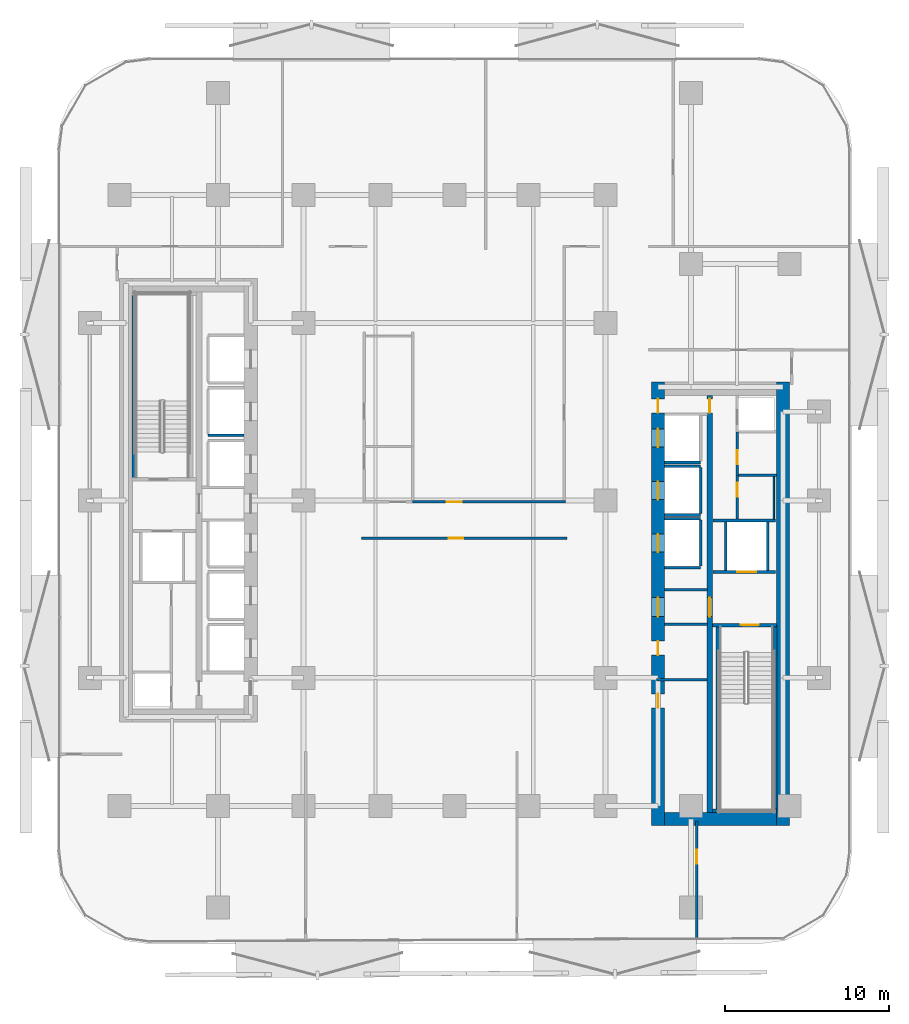
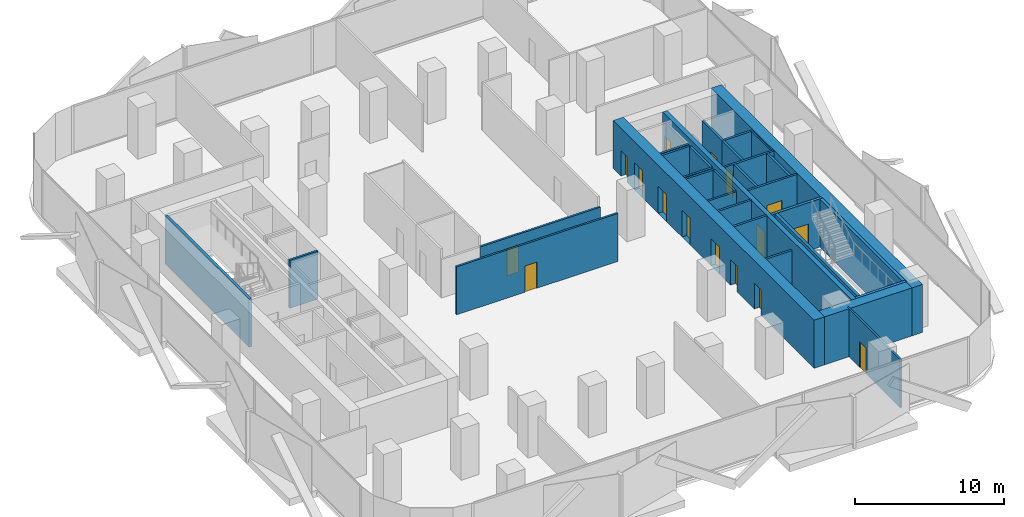
# One storey, part 4 of 15: 31 walls, 16 doors, 16 openings.
"""IFC4 building model written with IfcOpenShell, lengths in metres."""

from ifc_helpers import new_model, si_unit, direction, frame, frame_2d, origin, place, context, subcontext, project, spatial, rectangle, extrude, material, layer, layer_set, type_object, element, fill, save


model = new_model("IFC4")

# Units and contexts
model_context = context("Model", 3, precision=1e-05, world=origin(), true_north=direction((0.0, 1.0)))
body_context = subcontext(model_context, "Body", "Model", "MODEL_VIEW")
ifc_project = project(units=[si_unit("LENGTHUNIT", "METRE"), si_unit("AREAUNIT", "SQUARE_METRE"), si_unit("VOLUMEUNIT", "CUBIC_METRE"), si_unit("PLANEANGLEUNIT", "RADIAN"), si_unit("MASSUNIT", "GRAM", prefix="KILO")], contexts=[model_context])

# Site, building, storey
site_placement = place(None, origin())
site = spatial("IfcSite", under=ifc_project, at=site_placement, CompositionType="ELEMENT")
building_placement = place(site_placement, origin())
building = spatial("IfcBuilding", under=site, at=building_placement, Name="Khairoan Windgate Tower", CompositionType="ELEMENT")
storey_placement = place(building_placement, frame((0.0, 0.0, 51.199951171875)))
storey = spatial("IfcBuildingStorey", under=building, at=storey_placement, Name="L12", CompositionType="ELEMENT", Elevation=51.199951171875)

# Walls
ifc_material_1 = material(Name="Moisture-Resistant Gypsum Partition", Category="gypsum")
ifc_layer_1 = layer(ifc_material_1, 0.10009765625, Name="Moisture-Resistant Gypsum Partition")
ifc_layer_set_1 = layer_set([ifc_layer_1], Name="Moisture-Resistant Gypsum Partition")
wall_type_1 = type_object("IfcWallType", Name="Bathroom Wet-Area Partition Wall", PredefinedType="PARTITIONING", material=ifc_layer_set_1)
wall_1_placement = place(storey_placement, frame((19.449951171875, 1.449951171875, 0.0), z_axis=(0.0, 0.0, 1.0), x_axis=(0.0, -1.0, 0.0)))
element("IfcWall", 1, at=wall_1_placement, inside=storey, type_object=wall_type_1, Name="L12 Wet Room Side Wall 037", PredefinedType="PARTITIONING", context=body_context, shape_type="SweptSolid", body=[
    extrude(rectangle(XDim=2.58984375, YDim=0.10009765625, at=frame_2d((1.294921875, 0.0))), origin(), (0.0, 0.0, 1.0), 3.93994140625),
])
ifc_material_2 = material(Name="Concrete C40/50", Category="concrete")
ifc_layer_2 = layer(ifc_material_2, 0.159912109375, Name="Concrete C40/50")
ifc_layer_set_2 = layer_set([ifc_layer_2], Name="Concrete C40/50")
wall_type_2 = type_object("IfcWallType", Name="Core and Hoistway Enclosure Wall", PredefinedType="STANDARD", material=ifc_layer_set_2)
for number, where, z_axis, x_axis, name in (
    (2, (-14.989990234375, 3.9599609375, 0.0), (0.0, 0.0, 1.0), (1.0, 0.0, 0.0), "L12 Lift PL2 Hoistway Divider S"),
    (3, (12.800048828125, 2.31005859375, 0.0), (0.0, 0.0, 1.0), (1.0, 0.0, 0.0), "L12 Lift PL7 Hoistway Divider S"),
    (4, (12.800048828125, -0.889892578125, 0.0), (0.0, 0.0, 1.0), (1.0, 0.0, 0.0), "L12 Lift PL8 Hoistway Divider S"),
    (5, (12.800048828125, 2.090087890625, 0.0), (0.0, 0.0, 1.0), (1.0, 0.0, 0.0), "L12 Lift PL8 Hoistway Divider N"),
):
    element("IfcWall", number, at=place(storey_placement, frame(where, z_axis=z_axis, x_axis=x_axis)), inside=storey, type_object=wall_type_2, Name=name, PredefinedType="STANDARD", context=body_context, shape_type="SweptSolid", body=[
        extrude(rectangle(XDim=2.18994140625, YDim=0.159912109375, at=frame_2d((1.094970703125, 0.0))), origin(), (0.0, 0.0, 1.0), 3.93994140625),
    ])
wall_2_placement = place(storey_placement, frame((14.989990234375, -0.800048828125, 0.0), z_axis=(0.0, 0.0, 1.0), x_axis=(0.0, 1.0, 0.0)))
element("IfcWall", 6, at=wall_2_placement, inside=storey, type_object=wall_type_2, Name="L12 Lift PL8 Hoistway Back Wall", PredefinedType="STANDARD", context=body_context, shape_type="SweptSolid", body=[
    extrude(rectangle(XDim=2.800048828125, YDim=0.159912109375, at=frame_2d((1.39990234375, 0.0))), origin(), (0.0, 0.0, 1.0), 3.93994140625),
])
for number, where, z_axis, x_axis, name in (
    (7, (12.800048828125, -4.090087890625, 0.0), (0.0, 0.0, 1.0), (1.0, 0.0, 0.0), "L12 Lift PL9 Hoistway Divider S"),
    (8, (12.800048828125, -1.110107421875, 0.0), (0.0, 0.0, 1.0), (1.0, 0.0, 0.0), "L12 Lift PL9 Hoistway Divider N"),
):
    element("IfcWall", number, at=place(storey_placement, frame(where, z_axis=z_axis, x_axis=x_axis)), inside=storey, type_object=wall_type_2, Name=name, PredefinedType="STANDARD", context=body_context, shape_type="SweptSolid", body=[
        extrude(rectangle(XDim=2.18994140625, YDim=0.159912109375, at=frame_2d((1.094970703125, 0.0))), origin(), (0.0, 0.0, 1.0), 3.93994140625),
    ])
wall_3_placement = place(storey_placement, frame((14.989990234375, -4.0, 0.0), z_axis=(0.0, 0.0, 1.0), x_axis=(0.0, 1.0, 0.0)))
element("IfcWall", 9, at=wall_3_placement, inside=storey, type_object=wall_type_2, Name="L12 Lift PL9 Hoistway Back Wall", PredefinedType="STANDARD", context=body_context, shape_type="SweptSolid", body=[
    extrude(rectangle(XDim=2.800048828125, YDim=0.159912109375, at=frame_2d((1.39990234375, 0.0))), origin(), (0.0, 0.0, 1.0), 3.93994140625),
])

# Wall, opening, door
wall_4_placement = place(storey_placement, frame((15.75, -4.360107421875, 0.0), z_axis=(0.0, 0.0, 1.0), x_axis=(1.0, 0.0, 0.0)))
wall_4 = element("IfcWall", 10, at=wall_4_placement, inside=storey, type_object=wall_type_2, Name="L12 Core Shaft Wall SW-FL1-L12", PredefinedType="STANDARD", context=body_context, shape_type="SweptSolid", body=[
    extrude(rectangle(XDim=3.800048828125, YDim=0.159912109375, at=frame_2d((1.89990234375, 0.0))), origin(), (0.0, 0.0, 1.0), 3.93994140625),
])
opening_1_placement = place(wall_4_placement, frame((1.469970703125, 0.0, 0.0)))
opening_1 = element("IfcOpeningElement", 11, at=opening_1_placement, cuts=wall_4, Name="Opening LD-FL", PredefinedType="OPENING", context=body_context, shape_type="SweptSolid", body=[
    extrude(rectangle(XDim=1.14990234375, YDim=2.199951171875, at=frame_2d((0.574951171875, 1.10009765625))), frame((0.0, 0.08984375, 0.0), z_axis=(0.0, -1.0, 0.0), x_axis=(1.0, 0.0, 0.0)), (0.0, 0.0, 1.0), 0.179931640625),
])
ifc_material_3 = material(Name="Steel S355", Category="steel")
door_type_1 = type_object("IfcDoorType", Name="Firefighting Lift Sliding Landing Door LD-FL 1150x2200", OperationType="DOUBLE_DOOR_SLIDING", PredefinedType="DOOR", material=ifc_material_3)
door_1_placement = place(opening_1_placement, origin())
door_1 = element("IfcDoor", 12, at=door_1_placement, inside=storey, type_object=door_type_1, Name="L12 Firefighting Lift FL1 Landing Door", OperationType="DOUBLE_DOOR_SLIDING", OverallHeight=2.199951171875, OverallWidth=1.14990234375, PredefinedType="DOOR", context=body_context, shape_type="SweptSolid", body=[
    extrude(rectangle(XDim=1.14990234375, YDim=2.199951171875, at=frame_2d((0.574951171875, 1.10009765625))), frame((0.0, 0.02490234375, 0.0), z_axis=(0.0, -1.0, 0.0), x_axis=(1.0, 0.0, 0.0)), (0.0, 0.0, 1.0), 0.050048828125),
])
fill(opening_1, door_1)

# Walls
wall_5_placement = place(storey_placement, frame((15.75, -1.219970703125, 0.0), z_axis=(0.0, 0.0, 1.0), x_axis=(1.0, 0.0, 0.0)))
element("IfcWall", 13, at=wall_5_placement, inside=storey, type_object=wall_type_2, Name="L12 Core Shaft Wall SW-FL1T-L12", PredefinedType="STANDARD", context=body_context, shape_type="SweptSolid", body=[
    extrude(rectangle(XDim=3.800048828125, YDim=0.159912109375, at=frame_2d((1.89990234375, 0.0))), origin(), (0.0, 0.0, 1.0), 3.93994140625),
])
for number, where, z_axis, x_axis, name in (
    (14, (16.52001953125, -4.280029296875, 0.0), (0.0, 0.0, 1.0), (0.0, 1.0, 0.0), "L12 Core Shaft Wall SW-FL1W-L12"),
    (15, (19.080078125, -4.280029296875, 0.0), (0.0, 0.0, 1.0), (0.0, 1.0, 0.0), "L12 Core Shaft Wall SW-FL1E-L12"),
):
    element("IfcWall", number, at=place(storey_placement, frame(where, z_axis=z_axis, x_axis=x_axis)), inside=storey, type_object=wall_type_2, Name=name, PredefinedType="STANDARD", context=body_context, shape_type="SweptSolid", body=[
        extrude(rectangle(XDim=2.97998046875, YDim=0.159912109375, at=frame_2d((1.489990234375, 0.0))), origin(), (0.0, 0.0, 1.0), 3.93994140625),
    ])
for number, where, z_axis, x_axis, name in (
    (16, (12.800048828125, -5.449951171875, 0.0), (0.0, 0.0, 1.0), (1.0, 0.0, 0.0), "L12 Core Shaft Wall SW-EV1-L12"),
    (17, (12.800048828125, -7.5400390625, 0.0), (0.0, 0.0, 1.0), (1.0, 0.0, 0.0), "L12 Core Shaft Wall SW-EV2-L12"),
):
    element("IfcWall", number, at=place(storey_placement, frame(where, z_axis=z_axis, x_axis=x_axis)), inside=storey, type_object=wall_type_2, Name=name, PredefinedType="STANDARD", context=body_context, shape_type="SweptSolid", body=[
        extrude(rectangle(XDim=2.599853515625, YDim=0.159912109375, at=frame_2d((1.2998046875, 0.0))), origin(), (0.0, 0.0, 1.0), 3.93994140625),
    ])

# Wall, opening, door
ifc_material_4 = material(Name="Acoustic Fire-Rated Gypsum Partition", Category="gypsum")
ifc_layer_3 = layer(ifc_material_4, 0.139892578125, Name="Acoustic Fire-Rated Gypsum Partition")
ifc_layer_set_3 = layer_set([ifc_layer_3], Name="Acoustic Fire-Rated Gypsum Partition")
wall_type_3 = type_object("IfcWallType", Name="Inter-Tenancy Compartment Wall", PredefinedType="PARTITIONING", material=ifc_layer_set_3)
wall_6_placement = place(storey_placement, frame((14.756103515625, -26.693359375, 0.0), z_axis=(0.0, 0.0, 1.0), x_axis=(0.0, 1.0, 0.0)))
wall_6 = element("IfcWall", 18, at=wall_6_placement, inside=storey, type_object=wall_type_3, Name="L12 Interior Partition 033", PredefinedType="PARTITIONING", context=body_context, shape_type="SweptSolid", body=[
    extrude(rectangle(XDim=7.13330078125, YDim=0.139892578125, at=frame_2d((3.566650390625, 0.0))), origin(), (0.0, 0.0, 1.0), 3.93994140625),
])
opening_2_placement = place(wall_6_placement, frame((4.585693359375, 0.0, 0.0)))
opening_2 = element("IfcOpeningElement", 19, at=opening_2_placement, cuts=wall_6, Name="Opening FD-SRV", PredefinedType="OPENING", context=body_context, shape_type="SweptSolid", body=[
    extrude(rectangle(XDim=0.85009765625, YDim=2.10009765625, at=frame_2d((0.425048828125, 1.050048828125))), frame((0.0, 0.079833984375, 0.0), z_axis=(0.0, -1.0, 0.0), x_axis=(1.0, 0.0, 0.0)), (0.0, 0.0, 1.0), 0.159912109375),
])
ifc_material_5 = material(Name="Steel S355", Category="steel")
door_type_2 = type_object("IfcDoorType", Name="Core Service and Riser Fire Door FD-SRV 850x2100", OperationType="NOTDEFINED", PredefinedType="DOOR", material=ifc_material_5)
door_2_placement = place(opening_2_placement, origin())
door_2 = element("IfcDoor", 20, at=door_2_placement, inside=storey, type_object=door_type_2, Name="L12 L12-45-L12-46 Door", OperationType="SINGLE_SWING_RIGHT", OverallHeight=2.10009765625, OverallWidth=0.85009765625, PredefinedType="DOOR", context=body_context, shape_type="SweptSolid", body=[
    extrude(rectangle(XDim=0.85009765625, YDim=2.10009765625, at=frame_2d((0.425048828125, 1.050048828125))), frame((0.0, 0.02490234375, 0.0), z_axis=(0.0, -1.0, 0.0), x_axis=(1.0, 0.0, 0.0)), (0.0, 0.0, 1.0), 0.050048828125),
])
fill(opening_2, door_2)

ifc_material_6 = material(Name="Concrete C40/50", Category="concrete")
ifc_layer_4 = layer(ifc_material_6, 0.159912109375, Name="Concrete C40/50")
ifc_layer_set_4 = layer_set([ifc_layer_4], Name="Concrete C40/50")
wall_type_4 = type_object("IfcWallType", Name="Plant and Refuge Compartment Wall", PredefinedType="PARTITIONING", material=ifc_layer_set_4)
wall_7_placement = place(storey_placement, frame((17.22998046875, -1.139892578125, 0.0), z_axis=(0.0, 0.0, 1.0), x_axis=(0.0, 1.0, 0.0)))
wall_7 = element("IfcWall", 21, at=wall_7_placement, inside=storey, type_object=wall_type_4, Name="L12 Interior Partition 005", PredefinedType="PARTITIONING", context=body_context, shape_type="SweptSolid", body=[
    extrude(rectangle(XDim=2.669921875, YDim=0.159912109375, at=frame_2d((1.3349609375, 0.0))), origin(), (0.0, 0.0, 1.0), 3.93994140625),
])
opening_3_placement = place(wall_7_placement, frame((1.360107421875, 0.0, 0.0)))
opening_3 = element("IfcOpeningElement", 22, at=opening_3_placement, cuts=wall_7, Name="Opening FD-SRV", PredefinedType="OPENING", context=body_context, shape_type="SweptSolid", body=[
    extrude(rectangle(XDim=0.85009765625, YDim=2.10009765625, at=frame_2d((0.425048828125, 1.050048828125))), frame((0.0, 0.08984375, 0.0), z_axis=(0.0, -1.0, 0.0), x_axis=(1.0, 0.0, 0.0)), (0.0, 0.0, 1.0), 0.179931640625),
])
door_3_placement = place(opening_3_placement, origin())
door_3 = element("IfcDoor", 23, at=door_3_placement, inside=storey, type_object=door_type_2, Name="L12 L12-18-L12-20 Door", OperationType="SINGLE_SWING_LEFT", OverallHeight=2.10009765625, OverallWidth=0.85009765625, PredefinedType="DOOR", context=body_context, shape_type="SweptSolid", body=[
    extrude(rectangle(XDim=0.85009765625, YDim=2.10009765625, at=frame_2d((0.425048828125, 1.050048828125))), frame((0.0, 0.02490234375, 0.0), z_axis=(0.0, -1.0, 0.0), x_axis=(1.0, 0.0, 0.0)), (0.0, 0.0, 1.0), 0.050048828125),
])
fill(opening_3, door_3)

wall_8_placement = place(storey_placement, frame((17.22998046875, 1.530029296875, 0.0), z_axis=(0.0, 0.0, 1.0), x_axis=(0.0, 1.0, 0.0)))
wall_8 = element("IfcWall", 24, at=wall_8_placement, inside=storey, type_object=wall_type_4, Name="L12 Interior Partition 006", PredefinedType="PARTITIONING", context=body_context, shape_type="SweptSolid", body=[
    extrude(rectangle(XDim=2.639892578125, YDim=0.159912109375, at=frame_2d((1.31982421875, 0.0))), origin(), (0.0, 0.0, 1.0), 3.93994140625),
])
opening_4_placement = place(wall_8_placement, frame((0.677490234375, 0.0, 0.0)))
opening_4 = element("IfcOpeningElement", 25, at=opening_4_placement, cuts=wall_8, Name="Opening FD-SRV", PredefinedType="OPENING", context=body_context, shape_type="SweptSolid", body=[
    extrude(rectangle(XDim=0.85009765625, YDim=2.10009765625, at=frame_2d((0.425048828125, 1.050048828125))), frame((0.0, 0.08984375, 0.0), z_axis=(0.0, -1.0, 0.0), x_axis=(1.0, 0.0, 0.0)), (0.0, 0.0, 1.0), 0.179931640625),
])
door_4_placement = place(opening_4_placement, origin())
door_4 = element("IfcDoor", 26, at=door_4_placement, inside=storey, type_object=door_type_2, Name="L12 L12-18-L12-21 Door", OperationType="SINGLE_SWING_RIGHT", OverallHeight=2.10009765625, OverallWidth=0.85009765625, PredefinedType="DOOR", context=body_context, shape_type="SweptSolid", body=[
    extrude(rectangle(XDim=0.85009765625, YDim=2.10009765625, at=frame_2d((0.425048828125, 1.050048828125))), frame((0.0, 0.02490234375, 0.0), z_axis=(0.0, -1.0, 0.0), x_axis=(1.0, 0.0, 0.0)), (0.0, 0.0, 1.0), 0.050048828125),
])
fill(opening_4, door_4)

# Walls
wall_9_placement = place(storey_placement, frame((17.31005859375, 1.530029296875, 0.0), z_axis=(0.0, 0.0, 1.0), x_axis=(1.0, 0.0, 0.0)))
element("IfcWall", 27, at=wall_9_placement, inside=storey, type_object=wall_type_4, Name="L12 Interior Partition 008", PredefinedType="PARTITIONING", context=body_context, shape_type="SweptSolid", body=[
    extrude(rectangle(XDim=2.2900390625, YDim=0.159912109375, at=frame_2d((1.14501953125, 0.0))), origin(), (0.0, 0.0, 1.0), 3.93994140625),
])
wall_10_placement = place(storey_placement, frame((12.31005859375, -10.919921875, 0.0), z_axis=(0.0, 0.0, 1.0), x_axis=(1.0, 0.0, 0.0)))
element("IfcWall", 28, at=wall_10_placement, inside=storey, type_object=wall_type_4, Name="L12 Interior Partition 009", PredefinedType="PARTITIONING", context=body_context, shape_type="SweptSolid", body=[
    extrude(rectangle(XDim=3.06494140625, YDim=0.159912109375, at=frame_2d((1.532470703125, 0.0))), origin(), (0.0, 0.0, 1.0), 3.14013671875),
])

# Wall, opening, door
ifc_material_7 = material(Name="Acoustic Fire-Rated Gypsum Partition", Category="gypsum")
ifc_layer_5 = layer(ifc_material_7, 0.14990234375, Name="Acoustic Fire-Rated Gypsum Partition")
ifc_layer_set_5 = layer_set([ifc_layer_5], Name="Acoustic Fire-Rated Gypsum Partition")
wall_type_5 = type_object("IfcWallType", Name="Rated Corridor Partition Wall", PredefinedType="PARTITIONING", material=ifc_layer_set_5)
wall_11_placement = place(storey_placement, frame((-2.5400390625, -0.094970703125, 0.0), z_axis=(0.0, 0.0, 1.0), x_axis=(1.0, 0.0, 0.0)))
wall_11 = element("IfcWall", 29, at=wall_11_placement, inside=storey, type_object=wall_type_5, Name="L12 Interior Partition 012", PredefinedType="PARTITIONING", context=body_context, shape_type="SweptSolid", body=[
    extrude(rectangle(XDim=9.300048828125, YDim=0.14990234375, at=frame_2d((4.64990234375, 0.0))), origin(), (0.0, 0.0, 1.0), 3.14013671875),
])
opening_5_placement = place(wall_11_placement, frame((2.077392578125, 0.0, 0.0)))
opening_5 = element("IfcOpeningElement", 30, at=opening_5_placement, cuts=wall_11, Name="Opening FD-ENT", PredefinedType="OPENING", context=body_context, shape_type="SweptSolid", body=[
    extrude(rectangle(XDim=0.89990234375, YDim=2.14990234375, at=frame_2d((0.449951171875, 1.074951171875))), frame((0.0, 0.0849609375, 0.0), z_axis=(0.0, -1.0, 0.0), x_axis=(1.0, 0.0, 0.0)), (0.0, 0.0, 1.0), 0.169921875),
])
ifc_material_8 = material(Name="Timber Fire-Rated Core", Category="wood")
door_type_3 = type_object("IfcDoorType", Name="Unit and Office Fire Entrance Door FD-ENT 900x2150", OperationType="NOTDEFINED", PredefinedType="DOOR", material=ifc_material_8)
door_5_placement = place(opening_5_placement, origin())
door_5 = element("IfcDoor", 31, at=door_5_placement, inside=storey, type_object=door_type_3, Name="L12 L12-31-L12-49 Door", OperationType="SINGLE_SWING_LEFT", OverallHeight=2.14990234375, OverallWidth=0.89990234375, PredefinedType="DOOR", context=body_context, shape_type="SweptSolid", body=[
    extrude(rectangle(XDim=0.89990234375, YDim=2.14990234375, at=frame_2d((0.449951171875, 1.074951171875))), frame((0.0, 0.02490234375, 0.0), z_axis=(0.0, -1.0, 0.0), x_axis=(1.0, 0.0, 0.0)), (0.0, 0.0, 1.0), 0.050048828125),
])
fill(opening_5, door_5)

wall_12_placement = place(storey_placement, frame((-5.659912109375, -2.304931640625, 0.0), z_axis=(0.0, 0.0, 1.0), x_axis=(1.0, 0.0, 0.0)))
wall_12 = element("IfcWall", 32, at=wall_12_placement, inside=storey, type_object=wall_type_5, Name="L12 Interior Partition 013", PredefinedType="PARTITIONING", context=body_context, shape_type="SweptSolid", body=[
    extrude(rectangle(XDim=12.52001953125, YDim=0.14990234375, at=frame_2d((6.260009765625, 0.0))), origin(), (0.0, 0.0, 1.0), 3.93994140625),
])
opening_6_placement = place(wall_12_placement, frame((5.305419921875, 0.0, 0.0)))
opening_6 = element("IfcOpeningElement", 33, at=opening_6_placement, cuts=wall_12, Name="Opening FD-ENT", PredefinedType="OPENING", context=body_context, shape_type="SweptSolid", body=[
    extrude(rectangle(XDim=0.89990234375, YDim=2.14990234375, at=frame_2d((0.449951171875, 1.074951171875))), frame((0.0, 0.0849609375, 0.0), z_axis=(0.0, -1.0, 0.0), x_axis=(1.0, 0.0, 0.0)), (0.0, 0.0, 1.0), 0.169921875),
])
door_6_placement = place(opening_6_placement, origin())
door_6 = element("IfcDoor", 34, at=door_6_placement, inside=storey, type_object=door_type_3, Name="L12 L12-31-L12-50 Door", OperationType="SINGLE_SWING_RIGHT", OverallHeight=2.14990234375, OverallWidth=0.89990234375, PredefinedType="DOOR", context=body_context, shape_type="SweptSolid", body=[
    extrude(rectangle(XDim=0.89990234375, YDim=2.14990234375, at=frame_2d((0.449951171875, 1.074951171875))), frame((0.0, 0.02490234375, 0.0), z_axis=(0.0, -1.0, 0.0), x_axis=(1.0, 0.0, 0.0)), (0.0, 0.0, 1.0), 0.050048828125),
])
fill(opening_6, door_6)

# Wall, openings, doors
ifc_material_9 = material(Name="Concrete C70/85", Category="concrete")
ifc_layer_6 = layer(ifc_material_9, 0.800048828125, Name="Concrete C70/85")
ifc_layer_set_6 = layer_set([ifc_layer_6], Name="Concrete C70/85")
wall_type_6 = type_object("IfcWallType", Name="Shear Wall CW-E1 800mm", PredefinedType="SHEAR", material=ifc_layer_set_6)
wall_13_placement = place(storey_placement, frame((12.39990234375, -19.800048828125, 0.0), z_axis=(0.0, 0.0, 1.0), x_axis=(0.0, 1.0, 0.0)))
wall_13 = element("IfcWall", 35, at=wall_13_placement, inside=storey, type_object=wall_type_6, Name="E Core West Shear Wall L12", PredefinedType="SHEAR", context=body_context, shape_type="SweptSolid", body=[
    extrude(rectangle(XDim=27.0, YDim=0.800048828125, at=frame_2d((13.5, 0.0))), origin(), (0.0, 0.0, 1.0), 3.93994140625),
])
opening_7_placement = place(wall_13_placement, frame((23.050048828125, 0.0, 0.0)))
opening_7 = element("IfcOpeningElement", 36, at=opening_7_placement, cuts=wall_13, Name="Opening LD-PL", PredefinedType="OPENING", context=body_context, shape_type="SweptSolid", body=[
    extrude(rectangle(XDim=1.10009765625, YDim=2.199951171875, at=frame_2d((0.550048828125, 1.10009765625))), frame((0.0, 0.409912109375, 0.0), z_axis=(0.0, -1.0, 0.0), x_axis=(1.0, 0.0, 0.0)), (0.0, 0.0, 1.0), 0.820068359375),
])
opening_8_placement = place(wall_13_placement, frame((19.85009765625, 0.0, 0.0)))
opening_8 = element("IfcOpeningElement", 37, at=opening_8_placement, cuts=wall_13, Name="Opening LD-PL", PredefinedType="OPENING", context=body_context, shape_type="SweptSolid", body=[
    extrude(rectangle(XDim=1.10009765625, YDim=2.199951171875, at=frame_2d((0.550048828125, 1.10009765625))), frame((0.0, 0.409912109375, 0.0), z_axis=(0.0, -1.0, 0.0), x_axis=(1.0, 0.0, 0.0)), (0.0, 0.0, 1.0), 0.820068359375),
])
opening_9_placement = place(wall_13_placement, frame((16.64990234375, 0.0, 0.0)))
opening_9 = element("IfcOpeningElement", 38, at=opening_9_placement, cuts=wall_13, Name="Opening LD-PL", PredefinedType="OPENING", context=body_context, shape_type="SweptSolid", body=[
    extrude(rectangle(XDim=1.10009765625, YDim=2.199951171875, at=frame_2d((0.550048828125, 1.10009765625))), frame((0.0, 0.409912109375, 0.0), z_axis=(0.0, -1.0, 0.0), x_axis=(1.0, 0.0, 0.0)), (0.0, 0.0, 1.0), 0.820068359375),
])
opening_10_placement = place(wall_13_placement, frame((7.175048828125, 0.0, 0.0)))
opening_10 = element("IfcOpeningElement", 39, at=opening_10_placement, cuts=wall_13, Name="Opening FD-SRV", PredefinedType="OPENING", context=body_context, shape_type="SweptSolid", body=[
    extrude(rectangle(XDim=0.85009765625, YDim=2.10009765625, at=frame_2d((0.425048828125, 1.050048828125))), frame((0.0, 0.409912109375, 0.0), z_axis=(0.0, -1.0, 0.0), x_axis=(1.0, 0.0, 0.0)), (0.0, 0.0, 1.0), 0.820068359375),
])
opening_11_placement = place(wall_13_placement, frame((10.375, 0.0, 0.0)))
opening_11 = element("IfcOpeningElement", 40, at=opening_11_placement, cuts=wall_13, Name="Opening FD-SRV", PredefinedType="OPENING", context=body_context, shape_type="SweptSolid", body=[
    extrude(rectangle(XDim=0.85009765625, YDim=2.10009765625, at=frame_2d((0.425048828125, 1.050048828125))), frame((0.0, 0.409912109375, 0.0), z_axis=(0.0, -1.0, 0.0), x_axis=(1.0, 0.0, 0.0)), (0.0, 0.0, 1.0), 0.820068359375),
])
opening_12_placement = place(wall_13_placement, frame((12.72509765625, 0.0, 0.0)))
opening_12 = element("IfcOpeningElement", 41, at=opening_12_placement, cuts=wall_13, Name="Opening FD-FFL", PredefinedType="OPENING", context=body_context, shape_type="SweptSolid", body=[
    extrude(rectangle(XDim=1.14990234375, YDim=2.199951171875, at=frame_2d((0.574951171875, 1.10009765625))), frame((0.0, 0.409912109375, 0.0), z_axis=(0.0, -1.0, 0.0), x_axis=(1.0, 0.0, 0.0)), (0.0, 0.0, 1.0), 0.820068359375),
])
opening_13_placement = place(wall_13_placement, frame((25.125, 0.0, 0.0)))
opening_13 = element("IfcOpeningElement", 42, at=opening_13_placement, cuts=wall_13, Name="Opening FD-SRV", PredefinedType="OPENING", context=body_context, shape_type="SweptSolid", body=[
    extrude(rectangle(XDim=0.85009765625, YDim=2.10009765625, at=frame_2d((0.425048828125, 1.050048828125))), frame((0.0, 0.409912109375, 0.0), z_axis=(0.0, -1.0, 0.0), x_axis=(1.0, 0.0, 0.0)), (0.0, 0.0, 1.0), 0.820068359375),
])
door_7_placement = place(opening_10_placement, origin())
door_7 = element("IfcDoor", 43, at=door_7_placement, inside=storey, type_object=door_type_2, Name="L12 East Core Service Room Door 1", OperationType="SINGLE_SWING_RIGHT", OverallHeight=2.10009765625, OverallWidth=0.85009765625, PredefinedType="DOOR", context=body_context, shape_type="SweptSolid", body=[
    extrude(rectangle(XDim=0.85009765625, YDim=2.10009765625, at=frame_2d((0.425048828125, 1.050048828125))), frame((0.0, 0.02490234375, 0.0), z_axis=(0.0, -1.0, 0.0), x_axis=(1.0, 0.0, 0.0)), (0.0, 0.0, 1.0), 0.050048828125),
])
fill(opening_10, door_7)
door_8_placement = place(opening_11_placement, origin())
door_8 = element("IfcDoor", 44, at=door_8_placement, inside=storey, type_object=door_type_2, Name="L12 East Core Service Room Door 2", OperationType="SINGLE_SWING_LEFT", OverallHeight=2.10009765625, OverallWidth=0.85009765625, PredefinedType="DOOR", context=body_context, shape_type="SweptSolid", body=[
    extrude(rectangle(XDim=0.85009765625, YDim=2.10009765625, at=frame_2d((0.425048828125, 1.050048828125))), frame((0.0, 0.02490234375, 0.0), z_axis=(0.0, -1.0, 0.0), x_axis=(1.0, 0.0, 0.0)), (0.0, 0.0, 1.0), 0.050048828125),
])
fill(opening_11, door_8)
door_9_placement = place(opening_13_placement, origin())
door_9 = element("IfcDoor", 45, at=door_9_placement, inside=storey, type_object=door_type_2, Name="L12 East Core Service Vestibule Outer Door", OperationType="SINGLE_SWING_RIGHT", OverallHeight=2.10009765625, OverallWidth=0.85009765625, PredefinedType="DOOR", context=body_context, shape_type="SweptSolid", body=[
    extrude(rectangle(XDim=0.85009765625, YDim=2.10009765625, at=frame_2d((0.425048828125, 1.050048828125))), frame((0.0, 0.02490234375, 0.0), z_axis=(0.0, -1.0, 0.0), x_axis=(1.0, 0.0, 0.0)), (0.0, 0.0, 1.0), 0.050048828125),
])
fill(opening_13, door_9)
ifc_material_10 = material(Name="Steel S355", Category="steel")
door_type_4 = type_object("IfcDoorType", Name="Firefighting Lobby Fire Door FD-FFL 1150x2200", OperationType="NOTDEFINED", PredefinedType="DOOR", material=ifc_material_10)
door_10_placement = place(opening_12_placement, origin())
door_10 = element("IfcDoor", 46, at=door_10_placement, inside=storey, type_object=door_type_4, Name="L12 East Core Vestibule Entry Door", OperationType="SINGLE_SWING_RIGHT", OverallHeight=2.199951171875, OverallWidth=1.14990234375, PredefinedType="DOOR", context=body_context, shape_type="SweptSolid", body=[
    extrude(rectangle(XDim=1.14990234375, YDim=2.199951171875, at=frame_2d((0.574951171875, 1.10009765625))), frame((0.0, 0.02490234375, 0.0), z_axis=(0.0, -1.0, 0.0), x_axis=(1.0, 0.0, 0.0)), (0.0, 0.0, 1.0), 0.050048828125),
])
fill(opening_12, door_10)
ifc_material_11 = material(Name="Anodised Bronze Aluminium 6063-T6", Category="aluminium")
door_type_5 = type_object("IfcDoorType", Name="Passenger Lift Sliding Landing Door LD-PL 1100x2200", OperationType="DOUBLE_DOOR_SLIDING", PredefinedType="DOOR", material=ifc_material_11)
door_11_placement = place(opening_7_placement, origin())
door_11 = element("IfcDoor", 47, at=door_11_placement, inside=storey, type_object=door_type_5, Name="L12 Lift PL7 Sliding Landing Door", OperationType="DOUBLE_DOOR_SLIDING", OverallHeight=2.199951171875, OverallWidth=1.10009765625, PredefinedType="DOOR", context=body_context, shape_type="SweptSolid", body=[
    extrude(rectangle(XDim=1.10009765625, YDim=2.199951171875, at=frame_2d((0.550048828125, 1.10009765625))), frame((0.0, 0.02490234375, 0.0), z_axis=(0.0, -1.0, 0.0), x_axis=(1.0, 0.0, 0.0)), (0.0, 0.0, 1.0), 0.050048828125),
])
fill(opening_7, door_11)
door_12_placement = place(opening_8_placement, origin())
door_12 = element("IfcDoor", 48, at=door_12_placement, inside=storey, type_object=door_type_5, Name="L12 Lift PL8 Sliding Landing Door", OperationType="DOUBLE_DOOR_SLIDING", OverallHeight=2.199951171875, OverallWidth=1.10009765625, PredefinedType="DOOR", context=body_context, shape_type="SweptSolid", body=[
    extrude(rectangle(XDim=1.10009765625, YDim=2.199951171875, at=frame_2d((0.550048828125, 1.10009765625))), frame((0.0, 0.02490234375, 0.0), z_axis=(0.0, -1.0, 0.0), x_axis=(1.0, 0.0, 0.0)), (0.0, 0.0, 1.0), 0.050048828125),
])
fill(opening_8, door_12)
door_13_placement = place(opening_9_placement, origin())
door_13 = element("IfcDoor", 49, at=door_13_placement, inside=storey, type_object=door_type_5, Name="L12 Lift PL9 Sliding Landing Door", OperationType="DOUBLE_DOOR_SLIDING", OverallHeight=2.199951171875, OverallWidth=1.10009765625, PredefinedType="DOOR", context=body_context, shape_type="SweptSolid", body=[
    extrude(rectangle(XDim=1.10009765625, YDim=2.199951171875, at=frame_2d((0.550048828125, 1.10009765625))), frame((0.0, 0.02490234375, 0.0), z_axis=(0.0, -1.0, 0.0), x_axis=(1.0, 0.0, 0.0)), (0.0, 0.0, 1.0), 0.050048828125),
])
fill(opening_9, door_13)

# Walls
wall_14_placement = place(storey_placement, frame((20.0, -19.800048828125, 0.0), z_axis=(0.0, 0.0, 1.0), x_axis=(0.0, 1.0, 0.0)))
element("IfcWall", 50, at=wall_14_placement, inside=storey, type_object=wall_type_6, Name="E Core East Shear Wall L12", PredefinedType="SHEAR", context=body_context, shape_type="SweptSolid", body=[
    extrude(rectangle(XDim=27.0, YDim=0.800048828125, at=frame_2d((13.5, 0.0))), origin(), (0.0, 0.0, 1.0), 3.93994140625),
])
wall_15_placement = place(storey_placement, frame((12.800048828125, -19.39990234375, 0.0), z_axis=(0.0, 0.0, 1.0), x_axis=(1.0, 0.0, 0.0)))
element("IfcWall", 51, at=wall_15_placement, inside=storey, type_object=wall_type_6, Name="E Core South Shear Wall L12", PredefinedType="SHEAR", context=body_context, shape_type="SweptSolid", body=[
    extrude(rectangle(XDim=6.800048828125, YDim=0.800048828125, at=frame_2d((3.39990234375, 0.0))), origin(), (0.0, 0.0, 1.0), 3.93994140625),
])

# Wall, openings, doors
ifc_material_12 = material(Name="Concrete C60/75", Category="concrete")
ifc_layer_7 = layer(ifc_material_12, 0.35009765625, Name="Concrete C60/75")
ifc_layer_set_7 = layer_set([ifc_layer_7], Name="Concrete C60/75")
wall_type_7 = type_object("IfcWallType", Name="Shear Wall SW-1 350mm", PredefinedType="SHEAR", material=ifc_layer_set_7)
wall_16_placement = place(storey_placement, frame((15.550048828125, -19.0, 0.0), z_axis=(0.0, 0.0, 1.0), x_axis=(0.0, 1.0, 0.0)))
wall_16 = element("IfcWall", 52, at=wall_16_placement, inside=storey, type_object=wall_type_7, Name="E Core Spine Shear Wall L12", PredefinedType="SHEAR", context=body_context, shape_type="SweptSolid", body=[
    extrude(rectangle(XDim=25.39990234375, YDim=0.35009765625, at=frame_2d((12.699951171875, 0.0))), origin(), (0.0, 0.0, 1.0), 3.93994140625),
])
opening_14_placement = place(wall_16_placement, frame((11.925048828125, 0.0, 0.0)))
opening_14 = element("IfcOpeningElement", 53, at=opening_14_placement, cuts=wall_16, Name="Opening FD-FFL", PredefinedType="OPENING", context=body_context, shape_type="SweptSolid", body=[
    extrude(rectangle(XDim=1.14990234375, YDim=2.199951171875, at=frame_2d((0.574951171875, 1.10009765625))), frame((0.0, 0.18505859375, 0.0), z_axis=(0.0, -1.0, 0.0), x_axis=(1.0, 0.0, 0.0)), (0.0, 0.0, 1.0), 0.3701171875),
])
opening_15_placement = place(wall_16_placement, frame((24.324951171875, 0.0, 0.0)))
opening_15 = element("IfcOpeningElement", 54, at=opening_15_placement, cuts=wall_16, Name="Opening FD-SRV", PredefinedType="OPENING", context=body_context, shape_type="SweptSolid", body=[
    extrude(rectangle(XDim=0.85009765625, YDim=2.10009765625, at=frame_2d((0.425048828125, 1.050048828125))), frame((0.0, 0.18505859375, 0.0), z_axis=(0.0, -1.0, 0.0), x_axis=(1.0, 0.0, 0.0)), (0.0, 0.0, 1.0), 0.3701171875),
])
door_14_placement = place(opening_15_placement, origin())
door_14 = element("IfcDoor", 55, at=door_14_placement, inside=storey, type_object=door_type_2, Name="L12 East Core Service Passage Inner Door", OperationType="SINGLE_SWING_LEFT", OverallHeight=2.10009765625, OverallWidth=0.85009765625, PredefinedType="DOOR", context=body_context, shape_type="SweptSolid", body=[
    extrude(rectangle(XDim=0.85009765625, YDim=2.10009765625, at=frame_2d((0.425048828125, 1.050048828125))), frame((0.0, 0.02490234375, 0.0), z_axis=(0.0, -1.0, 0.0), x_axis=(1.0, 0.0, 0.0)), (0.0, 0.0, 1.0), 0.050048828125),
])
fill(opening_15, door_14)
door_15_placement = place(opening_14_placement, origin())
door_15 = element("IfcDoor", 56, at=door_15_placement, inside=storey, type_object=door_type_4, Name="L12 East Firefighting Lobby Fire Door", OperationType="SINGLE_SWING_LEFT", OverallHeight=2.199951171875, OverallWidth=1.14990234375, PredefinedType="DOOR", context=body_context, shape_type="SweptSolid", body=[
    extrude(rectangle(XDim=1.14990234375, YDim=2.199951171875, at=frame_2d((0.574951171875, 1.10009765625))), frame((0.0, 0.02490234375, 0.0), z_axis=(0.0, -1.0, 0.0), x_axis=(1.0, 0.0, 0.0)), (0.0, 0.0, 1.0), 0.050048828125),
])
fill(opening_14, door_15)

# Walls
ifc_material_13 = material(Name="Concrete C50/60", Category="concrete")
ifc_layer_8 = layer(ifc_material_13, 0.219970703125, Name="Concrete C50/60")
ifc_layer_set_8 = layer_set([ifc_layer_8], Name="Concrete C50/60")
wall_type_8 = type_object("IfcWallType", Name="Shear Wall SW-ST 220mm", PredefinedType="SHEAR", material=ifc_layer_set_8)
for number, where, z_axis, x_axis, name in (
    (57, (16.0400390625, -18.889892578125, 0.0), (0.0, 0.0, 1.0), (0.0, 1.0, 0.0), "L12 Stair ST1 West Bearing Wall"),
    (58, (19.530029296875, -18.889892578125, 0.0), (0.0, 0.0, 1.0), (0.0, 1.0, 0.0), "L12 Stair ST1 East Bearing Wall"),
):
    element("IfcWall", number, at=place(storey_placement, frame(where, z_axis=z_axis, x_axis=x_axis)), inside=storey, type_object=wall_type_8, Name=name, PredefinedType="SHEAR", context=body_context, shape_type="SweptSolid", body=[
        extrude(rectangle(XDim=11.2998046875, YDim=0.219970703125, at=frame_2d((5.64990234375, 0.0))), origin(), (0.0, 0.0, 1.0), 3.93994140625),
    ])
wall_17_placement = place(storey_placement, frame((15.705078125, -18.889892578125, 0.0), z_axis=(0.0, 0.0, 1.0), x_axis=(1.0, 0.0, 0.0)))
element("IfcWall", 59, at=wall_17_placement, inside=storey, type_object=wall_type_8, Name="L12 Stair ST1 South Bearing Wall", PredefinedType="SHEAR", context=body_context, shape_type="SweptSolid", body=[
    extrude(rectangle(XDim=3.9150390625, YDim=0.219970703125, at=frame_2d((1.95751953125, 0.0))), origin(), (0.0, 0.0, 1.0), 3.93994140625),
])

# Wall, opening, door
wall_18_placement = place(storey_placement, frame((19.6201171875, -7.590087890625, 0.0), z_axis=(0.0, 0.0, 1.0), x_axis=(-1.0, 0.0, 0.0)))
wall_18 = element("IfcWall", 60, at=wall_18_placement, inside=storey, type_object=wall_type_8, Name="L12 Stair ST1 North Bearing Wall", PredefinedType="SHEAR", context=body_context, shape_type="SweptSolid", body=[
    extrude(rectangle(XDim=3.9150390625, YDim=0.219970703125, at=frame_2d((1.95751953125, 0.0))), origin(), (0.0, 0.0, 1.0), 3.93994140625),
])
opening_16_placement = place(wall_18_placement, frame((1.080078125, 0.0, 0.0)))
opening_16 = element("IfcOpeningElement", 61, at=opening_16_placement, cuts=wall_18, Name="Opening FD-ST", PredefinedType="OPENING", context=body_context, shape_type="SweptSolid", body=[
    extrude(rectangle(XDim=1.10009765625, YDim=2.199951171875, at=frame_2d((0.550048828125, 1.10009765625))), frame((0.0, 0.119873046875, 0.0), z_axis=(0.0, -1.0, 0.0), x_axis=(1.0, 0.0, 0.0)), (0.0, 0.0, 1.0), 0.239990234375),
])
ifc_material_14 = material(Name="Steel S355", Category="steel")
door_type_6 = type_object("IfcDoorType", Name="Smokeproof Stair Fire Door FD-ST 1100x2200", OperationType="NOTDEFINED", PredefinedType="DOOR", material=ifc_material_14)
door_16_placement = place(opening_16_placement, origin())
door_16 = element("IfcDoor", 62, at=door_16_placement, inside=storey, type_object=door_type_6, Name="L12 Stair ST1 Fire Door", OperationType="SINGLE_SWING_RIGHT", OverallHeight=2.199951171875, OverallWidth=1.10009765625, PredefinedType="DOOR", context=body_context, shape_type="SweptSolid", body=[
    extrude(rectangle(XDim=1.10009765625, YDim=2.199951171875, at=frame_2d((0.550048828125, 1.10009765625))), frame((0.0, 0.02490234375, 0.0), z_axis=(0.0, -1.0, 0.0), x_axis=(1.0, 0.0, 0.0)), (0.0, 0.0, 1.0), 0.050048828125),
])
fill(opening_16, door_16)

# Wall
wall_19_placement = place(storey_placement, frame((-19.530029296875, 1.2900390625, 0.0), z_axis=(0.0, 0.0, 1.0), x_axis=(0.0, 1.0, 0.0)))
element("IfcWall", 63, at=wall_19_placement, inside=storey, type_object=wall_type_8, Name="L12 Stair ST2 West Bearing Wall", PredefinedType="SHEAR", context=body_context, shape_type="SweptSolid", body=[
    extrude(rectangle(XDim=11.300048828125, YDim=0.219970703125, at=frame_2d((5.64990234375, 0.0))), origin(), (0.0, 0.0, 1.0), 3.93994140625),
])

save(model, "model.ifc")
